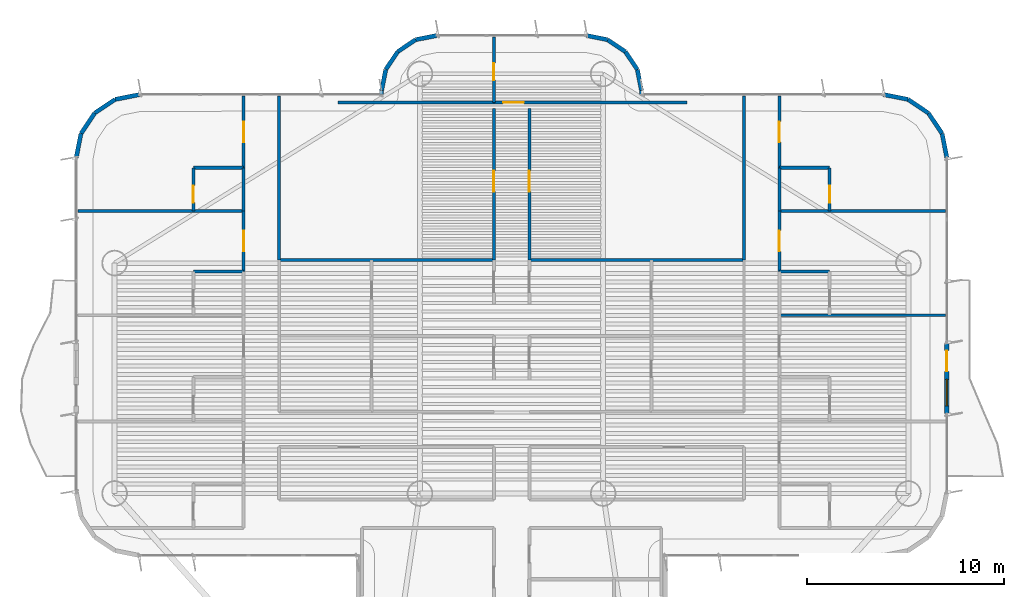
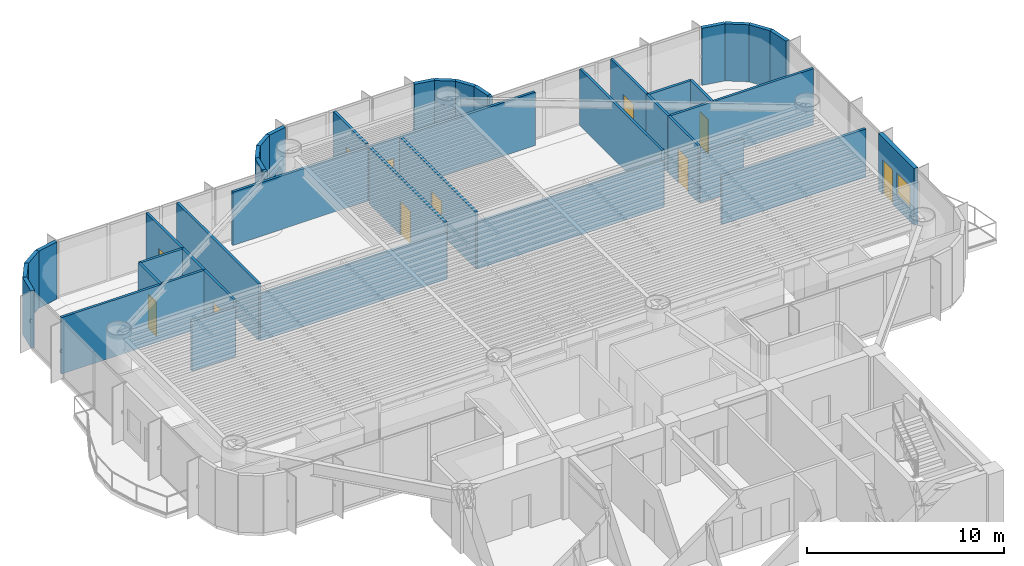
# One storey, part 12 of 17: 43 walls, 11 doors, 1 window, 12 openings.
"""IFC4 building model written with IfcOpenShell, lengths in metres."""

import ifcopenshell
import ifcopenshell.guid

model = None  # the IFC model being written
_history = None  # IfcOwnerHistory: only IFC2X3 demands one
_inside = {}  # id of a spatial element -> (the spatial element, [elements in it])
_under = {}  # id of a project, library or spatial element -> (it, [spatial elements below it])
_declared = {}  # id of a project -> (the project, [libraries it declares])
_typed = {}  # id of a type object -> (the type object, [elements of that type])
_made_of = {}  # id of a material, layer set ... -> (it, [elements and type objects made of it])


def new_model(schema):
    """Start an empty IFC model of exactly this schema.

    Asked for "IFC4X3", IfcOpenShell would pick the latest addendum, in which some entities
    have other attributes; the version numbers below select the first issue.
    IFC2X3 requires an IfcOwnerHistory on every rooted entity: one is made here for all.
    """
    global model, _history
    if schema == "IFC4X3":
        model = ifcopenshell.file(schema_version=(4, 3, 0, 0))
    else:
        model = ifcopenshell.file(schema=schema)
    _inside.clear()
    _under.clear()
    _declared.clear()
    _typed.clear()
    _made_of.clear()
    _history = None
    if model.schema == "IFC2X3":
        org = make("IfcOrganization", Name="unknown")
        user = make(
            "IfcPersonAndOrganization",
            ThePerson=make("IfcPerson", FamilyName="unknown"),
            TheOrganization=org,
        )
        app = make(
            "IfcApplication",
            ApplicationDeveloper=org,
            Version="unknown",
            ApplicationFullName="unknown",
            ApplicationIdentifier="unknown",
        )
        _history = make(
            "IfcOwnerHistory",
            OwningUser=user,
            OwningApplication=app,
            ChangeAction="ADDED",
            CreationDate=0,
        )
    return model


def make(cls, **values):
    """One entity of the class cls with the attributes given. An attribute that is None is left unset."""
    return model.create_entity(
        cls, **{name: value for name, value in values.items() if value is not None}
    )


def rooted(cls, **values):
    """An entity with a GlobalId (a new one), such as an element, a storey or a relation."""
    return make(cls, GlobalId=ifcopenshell.guid.new(), OwnerHistory=_history, **values)


def si_unit(unit_type, name, prefix=None):
    """IfcSIUnit, for example si_unit("LENGTHUNIT", "METRE", prefix="MILLI")."""
    return make("IfcSIUnit", UnitType=unit_type, Prefix=prefix, Name=name)


def assignment(units):
    """IfcUnitAssignment: the units of a project."""
    return None if units is None else make("IfcUnitAssignment", Units=units)


def point(xyz):
    """IfcCartesianPoint."""
    return None if xyz is None else make("IfcCartesianPoint", Coordinates=xyz)


def direction(xyz):
    """IfcDirection."""
    return None if xyz is None else make("IfcDirection", DirectionRatios=xyz)


def frame(location, z_axis=None, x_axis=None):
    """IfcAxis2Placement3D, a coordinate frame: its origin and axes. An axis left out is left unset."""
    return make(
        "IfcAxis2Placement3D",
        Location=point(location),
        Axis=direction(z_axis),
        RefDirection=direction(x_axis),
    )


def frame_2d(location, x_axis=None):
    """IfcAxis2Placement2D, a coordinate frame in the plane: its origin and x axis."""
    return make(
        "IfcAxis2Placement2D", Location=point(location), RefDirection=direction(x_axis)
    )


def origin():
    """The frame at (0, 0, 0) with its axes left unset."""
    return frame((0.0, 0.0, 0.0))


def origin_2d():
    """The frame at (0, 0) in the plane with its x axis left unset."""
    return frame_2d((0.0, 0.0))


def place(relative_to, where):
    """IfcLocalPlacement: puts the frame where relative to a parent placement (None: the world)."""
    return make(
        "IfcLocalPlacement", PlacementRelTo=relative_to, RelativePlacement=where
    )


def context(
    kind, dimensions, precision=None, world=None, true_north=None, identifier=None
):
    """IfcGeometricRepresentationContext, for example the 3D "Model" context."""
    return make(
        "IfcGeometricRepresentationContext",
        ContextIdentifier=identifier,
        ContextType=kind,
        CoordinateSpaceDimension=dimensions,
        Precision=precision,
        WorldCoordinateSystem=world,
        TrueNorth=true_north,
    )


def subcontext(parent, identifier, kind, view, scale=None):
    """IfcGeometricRepresentationSubContext, for example "Body" below "Model"."""
    return make(
        "IfcGeometricRepresentationSubContext",
        ContextIdentifier=identifier,
        ContextType=kind,
        ParentContext=parent,
        TargetScale=scale,
        TargetView=view,
    )


def project(units=None, contexts=None):
    """IfcProject with its units and contexts."""
    return rooted(
        "IfcProject",
        Name="project",
        RepresentationContexts=contexts,
        UnitsInContext=assignment(units),
    )


def spatial(cls, under=None, at=None, **own):
    """A site, building, storey or space (cls), placed at a placement, below another one or the project."""
    s = rooted(cls, ObjectPlacement=at, **own)
    if under is not None:
        _under.setdefault(under.id(), (under, []))[1].append(s)
    return s


def profile(cls, at=None, kind="AREA", **sizes):
    """A parametric profile (cls). Its sizes go by their IFC names, for example OverallWidth=200.0."""
    return make(cls, ProfileType=kind, Position=at, **sizes)


def rectangle(**sizes):
    """IfcRectangleProfileDef."""
    return profile("IfcRectangleProfileDef", **sizes)


def extrude(swept, where, along, depth):
    """IfcExtrudedAreaSolid: the profile swept, set in the frame where, extruded along a direction by depth."""
    return make(
        "IfcExtrudedAreaSolid",
        SweptArea=swept,
        Position=where,
        ExtrudedDirection=direction(along),
        Depth=depth,
    )


def shape(context_of_items, identifier, shape_type, items):
    """IfcShapeRepresentation: the items that make up one representation, for example the "Body"."""
    return make(
        "IfcShapeRepresentation",
        ContextOfItems=context_of_items,
        RepresentationIdentifier=identifier,
        RepresentationType=shape_type,
        Items=items,
    )


def source(mapping_origin, context_of_items, identifier, shape_type, items):
    """IfcRepresentationMap: a shape defined once, which mapped items show again and again."""
    return make(
        "IfcRepresentationMap",
        MappingOrigin=mapping_origin,
        MappedRepresentation=shape(context_of_items, identifier, shape_type, items),
    )


def transform(
    local_origin,
    x_axis=None,
    y_axis=None,
    z_axis=None,
    scale=None,
    scale2=None,
    scale3=None,
    uniform=True,
):
    """IfcCartesianTransformationOperator3D, or its non-uniform kind. x_axis, y_axis, z_axis: its Axis1, 2, 3."""
    if uniform:
        return make(
            "IfcCartesianTransformationOperator3D",
            Axis1=direction(x_axis),
            Axis2=direction(y_axis),
            LocalOrigin=point(local_origin),
            Scale=scale,
            Axis3=direction(z_axis),
        )
    return make(
        "IfcCartesianTransformationOperator3DnonUniform",
        Axis1=direction(x_axis),
        Axis2=direction(y_axis),
        LocalOrigin=point(local_origin),
        Scale=scale,
        Axis3=direction(z_axis),
        Scale2=scale2,
        Scale3=scale3,
    )


def mapped(mapping_source, mapping_target):
    """IfcMappedItem: shows the shape of a source again, moved by a transform."""
    return make(
        "IfcMappedItem", MappingSource=mapping_source, MappingTarget=mapping_target
    )


def material(Name=None, Category=None):
    """IfcMaterial."""
    return make("IfcMaterial", Name=Name, Category=Category)


def layer(
    of_material, thickness, ventilated=None, Name=None, Category=None, Priority=None
):
    """IfcMaterialLayer: one layer of a wall or slab, of a material (None: an air gap)."""
    return make(
        "IfcMaterialLayer",
        Material=of_material,
        LayerThickness=thickness,
        IsVentilated=ventilated,
        Name=Name,
        Category=Category,
        Priority=Priority,
    )


def layer_set(layers, Name=None):
    """IfcMaterialLayerSet."""
    return make("IfcMaterialLayerSet", MaterialLayers=layers, LayerSetName=Name)


def made_of(thing, what):
    """Note that an element or type object is made of a material, layer set ...; save() writes the relation."""
    if what is not None:
        _made_of.setdefault(what.id(), (what, []))[1].append(thing)
    return thing


def type_object(cls, material=None, **own):
    """A type object (cls), such as IfcWallType, which elements share."""
    return made_of(rooted(cls, **own), material)


def element(
    cls,
    number,
    at=None,
    inside=None,
    cuts=None,
    type_object=None,
    material=None,
    context=None,
    identifier="Body",
    shape_type=None,
    held_by="IfcProductDefinitionShape",
    body=None,
    shapes=None,
    **own,
):
    """One element of the class cls, such as IfcWall. Its Tag is "e" and its number.

    at: its placement. inside: the storey or other place that contains it. cuts: it is an
    opening in that element (IfcRelVoidsElement). A single representation is given by context,
    identifier, shape_type and body (its items); several are given by shapes. held_by: the class
    of the entity that holds the representations. save() writes the other relations.
    """
    e = rooted(cls, Tag="e%d" % number, ObjectPlacement=at, **own)
    if body is not None:
        shapes = [shape(context, identifier, shape_type, body)]
    if shapes is not None:
        e.Representation = make(held_by, Representations=shapes)
    if inside is not None:
        _inside.setdefault(inside.id(), (inside, []))[1].append(e)
    if cuts is not None:
        rooted(
            "IfcRelVoidsElement", RelatingBuildingElement=cuts, RelatedOpeningElement=e
        )
    if type_object is not None:
        _typed.setdefault(type_object.id(), (type_object, []))[1].append(e)
    return made_of(e, material)


def fill(opening, filler):
    """IfcRelFillsElement: the door or window that sits in an opening."""
    return rooted(
        "IfcRelFillsElement",
        RelatingOpeningElement=opening,
        RelatedBuildingElement=filler,
    )


def aggregate(whole, parts):
    """IfcRelAggregates: a whole, such as a stair, and the parts it consists of."""
    return rooted("IfcRelAggregates", RelatingObject=whole, RelatedObjects=parts)


def save(model, path):
    """Write the relations noted so far, then the file.

    IfcRelAggregates (storeys below a building ...), IfcRelContainedInSpatialStructure (elements
    in a storey), IfcRelDefinesByType, IfcRelAssociatesMaterial and IfcRelDeclares: one each for
    every whole, place, type object, material and project.
    """
    for whole, parts in _under.values():
        aggregate(whole, parts)
    for where, things in _inside.values():
        rooted(
            "IfcRelContainedInSpatialStructure",
            RelatedElements=things,
            RelatingStructure=where,
        )
    for kind, things in _typed.values():
        rooted("IfcRelDefinesByType", RelatedObjects=things, RelatingType=kind)
    for what, things in _made_of.values():
        rooted("IfcRelAssociatesMaterial", RelatedObjects=things, RelatingMaterial=what)
    for by, libraries in _declared.values():
        rooted("IfcRelDeclares", RelatingContext=by, RelatedDefinitions=libraries)
    model.write(path)


model = new_model("IFC4")

# Units and contexts
model_context = context("Model", 3, precision=1e-05, world=origin(), true_north=direction((0.0, 1.0)))
body_context = subcontext(model_context, "Body", "Model", "MODEL_VIEW")
ifc_project = project(units=[si_unit("LENGTHUNIT", "METRE"), si_unit("AREAUNIT", "SQUARE_METRE"), si_unit("VOLUMEUNIT", "CUBIC_METRE"), si_unit("PLANEANGLEUNIT", "RADIAN"), si_unit("MASSUNIT", "GRAM", prefix="KILO")], contexts=[model_context])

# Site, building, storey
site_placement = place(None, origin())
site = spatial("IfcSite", under=ifc_project, at=site_placement, CompositionType="ELEMENT")
building_placement = place(site_placement, origin())
building = spatial("IfcBuilding", under=site, at=building_placement, Name="Brelvock Crest Care Tower", CompositionType="ELEMENT")
storey_placement = place(building_placement, frame((0.0, 0.0, 127.6201171875)))
storey = spatial("IfcBuildingStorey", under=building, at=storey_placement, Name="L32", CompositionType="ELEMENT", Elevation=127.6201171875)

# Wall, openings, door, window
ifc_material_1 = material(Name="Precast concrete N40 (40 MPa)", Category="concrete")
ifc_layer_1 = layer(ifc_material_1, 0.239990234375, Name="WL-EX1")
ifc_layer_set_1 = layer_set([ifc_layer_1], Name="Precast concrete N40 (40 MPa)")
wall_type_1 = type_object("IfcWallType", Name="WL-EX1", PredefinedType="SOLIDWALL", material=ifc_layer_set_1)
wall_1_placement = place(storey_placement, frame((58.10009765625, 34.800048828125, 0.0), z_axis=(0.0, 0.0, 1.0), x_axis=(0.0, -1.0, 0.0)))
wall_1 = element("IfcWall", 1, at=wall_1_placement, inside=storey, type_object=wall_type_1, Name="L32 Exterior Spandrel Wall WL-BAL-L32-E", PredefinedType="SOLIDWALL", context=body_context, shape_type="SweptSolid", body=[
    extrude(rectangle(XDim=3.60009765625, YDim=0.239990234375, at=frame_2d((1.800048828125, 0.0))), origin(), (0.0, 0.0, 1.0), 3.52978515625),
])
opening_1_placement = place(wall_1_placement, frame((0.39990234375, 0.0, 0.0)))
opening_1 = element("IfcOpeningElement", 2, at=opening_1_placement, cuts=wall_1, Name="Opening BD-1", PredefinedType="OPENING", context=body_context, shape_type="SweptSolid", body=[
    extrude(rectangle(XDim=1.050048828125, YDim=2.14990234375, at=origin_2d()), frame((0.52490234375, 0.1298828125, 1.074951171875), z_axis=(0.0, -1.0, 0.0), x_axis=(1.0, 0.0, 0.0)), (0.0, 0.0, 1.0), 0.260009765625),
])
opening_2_placement = place(wall_1_placement, frame((1.85009765625, 0.0, 0.85009765625)))
opening_2 = element("IfcOpeningElement", 3, at=opening_2_placement, cuts=wall_1, Name="Opening W-01", PredefinedType="OPENING", context=body_context, shape_type="SweptSolid", body=[
    extrude(rectangle(XDim=1.35009765625, YDim=1.35009765625, at=origin_2d()), frame((0.675048828125, 0.1298828125, 0.675048828125), z_axis=(0.0, -1.0, 0.0), x_axis=(1.0, 0.0, 0.0)), (0.0, 0.0, 1.0), 0.260009765625),
])
ifc_material_2 = material(Name="Dark Glass Double Glazed Low-E", Category="glass")
door_type_1 = type_object("IfcDoorType", Name="DR-BAL1", OperationType="NOTDEFINED", PredefinedType="DOOR", material=ifc_material_2)
shared_shape_1 = source(origin(), body_context, "Body", "SweptSolid", [
    extrude(rectangle(XDim=1.050048828125, YDim=2.14990234375, at=origin_2d()), frame((0.52490234375, 0.02490234375, 1.074951171875), z_axis=(0.0, -1.0, 0.0), x_axis=(1.0, 0.0, 0.0)), (0.0, 0.0, 1.0), 0.050048828125),
])
door_1_placement = place(opening_1_placement, origin())
door_1 = element("IfcDoor", 4, at=door_1_placement, inside=storey, type_object=door_type_1, Name="L32 E Wave Balcony Glazed Door", OperationType="SINGLE_SWING_RIGHT", OverallHeight=2.14990234375, OverallWidth=1.050048828125, PredefinedType="DOOR", context=body_context, shape_type="MappedRepresentation", body=[
    mapped(shared_shape_1, transform((0.0, 0.0, 0.0), x_axis=(1.0, 0.0, 0.0), y_axis=(0.0, 1.0, 0.0), z_axis=(0.0, 0.0, 1.0), scale=1.0)),
])
fill(opening_1, door_1)
window_type = type_object("IfcWindowType", Name="WN-EX1", PartitioningType="SINGLE_PANEL", PredefinedType="WINDOW", material=ifc_material_2)
shared_shape_2 = source(origin(), body_context, "Body", "SweptSolid", [
    extrude(rectangle(XDim=1.35009765625, YDim=1.35009765625, at=origin_2d()), frame((0.675048828125, 0.030029296875, 0.675048828125), z_axis=(0.0, -1.0, 0.0), x_axis=(1.0, 0.0, 0.0)), (0.0, 0.0, 1.0), 0.06005859375),
])
window_placement = place(opening_2_placement, origin())
window = element("IfcWindow", 5, at=window_placement, inside=storey, type_object=window_type, Name="L32 E Suite Casement Window", OverallHeight=1.35009765625, OverallWidth=1.35009765625, PartitioningType="SINGLE_PANEL", PredefinedType="WINDOW", context=body_context, shape_type="MappedRepresentation", body=[
    mapped(shared_shape_2, transform((0.0, 0.0, 0.0), x_axis=(1.0, 0.0, 0.0), y_axis=(0.0, 1.0, 0.0), z_axis=(0.0, 0.0, 1.0), scale=1.0)),
])
fill(opening_2, window)

# Walls
ifc_layer_2 = layer(ifc_material_1, 0.215087890625, Name="WL-EX2")
ifc_layer_set_2 = layer_set([ifc_layer_2], Name="Precast concrete N40 (40 MPa)")
wall_type_2 = type_object("IfcWallType", Name="WL-EX2", PredefinedType="SOLIDWALL", material=ifc_layer_set_2)
for number, where, z_axis, x_axis, name in (
    (6, (13.89990234375, 44.199951171875, 0.0), (0.0, 0.0, 1.0), (0.195138390419, 0.980775717779, 0.0), "L32 Rounded Corner Wall 18"),
    (7, (14.1435546875, 45.424560546875, 0.0), (0.0, 0.0, 1.0), (0.555692485475, 0.831387912822, 0.0), "L32 Rounded Corner Wall 19"),
    (8, (14.83740234375, 46.462646484375, 0.0), (0.0, 0.0, 1.0), (0.831387912822, 0.555692485475, 0.0), "L32 Rounded Corner Wall 20"),
    (9, (15.87548828125, 47.156494140625, 0.0), (0.0, 0.0, 1.0), (0.980813122964, 0.194950295773, 0.0), "L32 Rounded Corner Wall 21"),
):
    element("IfcWall", number, at=place(storey_placement, frame(where, z_axis=z_axis, x_axis=x_axis)), inside=storey, type_object=wall_type_2, Name=name, PredefinedType="SOLIDWALL", context=body_context, shape_type="SweptSolid", body=[
        extrude(rectangle(XDim=1.24853515625, YDim=0.215087890625, at=frame_2d((0.624267578125, 0.0))), origin(), (0.0, 0.0, 1.0), 3.52978515625),
    ])
wall_2_placement = place(storey_placement, frame((29.39990234375, 47.39990234375, 0.0), z_axis=(0.0, 0.0, 1.0), x_axis=(0.0, 1.0, 0.0)))
element("IfcWall", 10, at=wall_2_placement, inside=storey, type_object=wall_type_2, Name="L32 Rounded Corner Wall 23", PredefinedType="SOLIDWALL", context=body_context, shape_type="SweptSolid", body=[
    extrude(rectangle(XDim=0.2001953125, YDim=0.215087890625, at=frame_2d((0.10009765625, 0.0))), origin(), (0.0, 0.0, 1.0), 3.52978515625),
])
wall_3_placement = place(storey_placement, frame((29.39990234375, 47.60009765625, 0.0), z_axis=(0.0, 0.0, 1.0), x_axis=(0.195127417394, 0.980777900945, 0.0)))
element("IfcWall", 11, at=wall_3_placement, inside=storey, type_object=wall_type_2, Name="L32 Rounded Corner Wall 24", PredefinedType="SOLIDWALL", context=body_context, shape_type="SweptSolid", body=[
    extrude(rectangle(XDim=1.09228515625, YDim=0.215087890625, at=frame_2d((0.546142578125, 0.0))), origin(), (0.0, 0.0, 1.0), 3.52978515625),
])
wall_4_placement = place(storey_placement, frame((29.613037109375, 48.67138671875, 0.0), z_axis=(0.0, 0.0, 1.0), x_axis=(0.555679482341, 0.831396603857, 0.0)))
element("IfcWall", 12, at=wall_4_placement, inside=storey, type_object=wall_type_2, Name="L32 Rounded Corner Wall 25", PredefinedType="SOLIDWALL", context=body_context, shape_type="SweptSolid", body=[
    extrude(rectangle(XDim=1.0927734375, YDim=0.215087890625, at=frame_2d((0.54638671875, 0.0))), origin(), (0.0, 0.0, 1.0), 3.52978515625),
])
for number, where, z_axis, x_axis, name in (
    (13, (30.22021484375, 49.579833984375, 0.0), (0.0, 0.0, 1.0), (0.831327592857, 0.555782721353, 0.0), "L32 Rounded Corner Wall 26"),
    (14, (31.12841796875, 50.18701171875, 0.0), (0.0, 0.0, 1.0), (0.980829143587, 0.194869677195, 0.0), "L32 Rounded Corner Wall 27"),
    (15, (39.800048828125, 50.39990234375, 0.0), (0.0, 0.0, 1.0), (0.980829143587, -0.194869677195, 0.0), "L32 Rounded Corner Wall 29"),
    (16, (40.87158203125, 50.18701171875, 0.0), (0.0, 0.0, 1.0), (0.831327592857, -0.555782721353, 0.0), "L32 Rounded Corner Wall 30"),
):
    element("IfcWall", number, at=place(storey_placement, frame(where, z_axis=z_axis, x_axis=x_axis)), inside=storey, type_object=wall_type_2, Name=name, PredefinedType="SOLIDWALL", context=body_context, shape_type="SweptSolid", body=[
        extrude(rectangle(XDim=1.092529296875, YDim=0.215087890625, at=frame_2d((0.54638671875, 0.0))), origin(), (0.0, 0.0, 1.0), 3.52978515625),
    ])
wall_5_placement = place(storey_placement, frame((41.77978515625, 49.579833984375, 0.0), z_axis=(0.0, 0.0, 1.0), x_axis=(0.555679482341, -0.831396603857, 0.0)))
element("IfcWall", 17, at=wall_5_placement, inside=storey, type_object=wall_type_2, Name="L32 Rounded Corner Wall 31", PredefinedType="SOLIDWALL", context=body_context, shape_type="SweptSolid", body=[
    extrude(rectangle(XDim=1.0927734375, YDim=0.215087890625, at=frame_2d((0.54638671875, 0.0))), origin(), (0.0, 0.0, 1.0), 3.52978515625),
])
wall_6_placement = place(storey_placement, frame((42.386962890625, 48.67138671875, 0.0), z_axis=(0.0, 0.0, 1.0), x_axis=(0.195127417394, -0.980777900945, 0.0)))
element("IfcWall", 18, at=wall_6_placement, inside=storey, type_object=wall_type_2, Name="L32 Rounded Corner Wall 32", PredefinedType="SOLIDWALL", context=body_context, shape_type="SweptSolid", body=[
    extrude(rectangle(XDim=1.09228515625, YDim=0.215087890625, at=frame_2d((0.546142578125, 0.0))), origin(), (0.0, 0.0, 1.0), 3.52978515625),
])
wall_7_placement = place(storey_placement, frame((42.60009765625, 47.60009765625, 0.0), z_axis=(0.0, 0.0, 1.0), x_axis=(0.0, -1.0, 0.0)))
element("IfcWall", 19, at=wall_7_placement, inside=storey, type_object=wall_type_2, Name="L32 Rounded Corner Wall 33", PredefinedType="SOLIDWALL", context=body_context, shape_type="SweptSolid", body=[
    extrude(rectangle(XDim=0.2001953125, YDim=0.215087890625, at=frame_2d((0.10009765625, 0.0))), origin(), (0.0, 0.0, 1.0), 3.52978515625),
])
for number, where, z_axis, x_axis, name in (
    (20, (54.89990234375, 47.39990234375, 0.0), (0.0, 0.0, 1.0), (0.980813122964, -0.194950295773, 0.0), "L32 Rounded Corner Wall 35"),
    (21, (56.12451171875, 47.156494140625, 0.0), (0.0, 0.0, 1.0), (0.831387912822, -0.555692485475, 0.0), "L32 Rounded Corner Wall 36"),
    (22, (57.16259765625, 46.462646484375, 0.0), (0.0, 0.0, 1.0), (0.555692485475, -0.831387912822, 0.0), "L32 Rounded Corner Wall 37"),
    (23, (57.8564453125, 45.424560546875, 0.0), (0.0, 0.0, 1.0), (0.195138390419, -0.980775717779, 0.0), "L32 Rounded Corner Wall 38"),
):
    element("IfcWall", number, at=place(storey_placement, frame(where, z_axis=z_axis, x_axis=x_axis)), inside=storey, type_object=wall_type_2, Name=name, PredefinedType="SOLIDWALL", context=body_context, shape_type="SweptSolid", body=[
        extrude(rectangle(XDim=1.24853515625, YDim=0.215087890625, at=frame_2d((0.624267578125, 0.0))), origin(), (0.0, 0.0, 1.0), 3.52978515625),
    ])
ifc_material_3 = material(Name="Masonry Blockwork Acoustic Partition", Category="masonry")
ifc_layer_3 = layer(ifc_material_3, 0.14990234375, Name="WL-INT1")
ifc_layer_set_3 = layer_set([ifc_layer_3], Name="Masonry Blockwork Acoustic Partition")
wall_type_3 = type_object("IfcWallType", Name="WL-INT1", PredefinedType="PARTITIONING", material=ifc_layer_set_3)
wall_8_placement = place(storey_placement, frame((49.60009765625, 36.199951171875, 0.0), z_axis=(0.0, 0.0, 1.0), x_axis=(1.0, 0.0, 0.0)))
element("IfcWall", 24, at=wall_8_placement, inside=storey, type_object=wall_type_3, Name="L32 Interior Wall WL-BX-L32-CS-SNE2-N", PredefinedType="PARTITIONING", context=body_context, shape_type="SweptSolid", body=[
    extrude(rectangle(XDim=8.419921875, YDim=0.14990234375, at=frame_2d((4.2099609375, 0.0))), origin(), (0.0, 0.0, 1.0), 2.98193359375),
])
for number, where, z_axis, x_axis, name in (
    (25, (24.199951171875, 39.0, 0.0), (0.0, 0.0, 1.0), (1.0, 0.0, 0.0), "L32 Interior Wall WL-BX-L32-INWD-S"),
    (26, (36.89990234375, 39.0, 0.0), (0.0, 0.0, 1.0), (1.0, 0.0, 0.0), "L32 Interior Wall WL-BX-L32-INED-S"),
):
    element("IfcWall", number, at=place(storey_placement, frame(where, z_axis=z_axis, x_axis=x_axis)), inside=storey, type_object=wall_type_3, Name=name, PredefinedType="PARTITIONING", context=body_context, shape_type="SweptSolid", body=[
        extrude(rectangle(XDim=10.900146484375, YDim=0.14990234375, at=frame_2d((5.4501953125, 0.0))), origin(), (0.0, 0.0, 1.0), 2.90283203125),
    ])
for number, where, z_axis, x_axis, name in (
    (27, (13.97998046875, 41.5, 0.0), (0.0, 0.0, 1.0), (1.0, 0.0, 0.0), "L32 Interior Wall WL-BX-L32-CS-SNW3-N"),
    (28, (49.60009765625, 41.5, 0.0), (0.0, 0.0, 1.0), (1.0, 0.0, 0.0), "L32 Interior Wall WL-BX-L32-CS-SNE3-N"),
):
    element("IfcWall", number, at=place(storey_placement, frame(where, z_axis=z_axis, x_axis=x_axis)), inside=storey, type_object=wall_type_3, Name=name, PredefinedType="PARTITIONING", context=body_context, shape_type="SweptSolid", body=[
        extrude(rectangle(XDim=8.419921875, YDim=0.14990234375, at=frame_2d((4.2099609375, 0.0))), origin(), (0.0, 0.0, 1.0), 3.5),
    ])
wall_9_placement = place(storey_placement, frame((27.19775390625, 47.0, 0.0), z_axis=(0.0, 0.0, 1.0), x_axis=(1.0, 0.0, 0.0)))
element("IfcWall", 29, at=wall_9_placement, inside=storey, type_object=wall_type_3, Name="L32 Interior Wall WL-BX-L32-SNKT-S", PredefinedType="PARTITIONING", context=body_context, shape_type="SweptSolid", body=[
    extrude(rectangle(XDim=7.90234375, YDim=0.14990234375, at=frame_2d((3.951171875, 0.0))), origin(), (0.0, 0.0, 1.0), 3.307861328125),
])

# Wall, opening, door
wall_10_placement = place(storey_placement, frame((35.10009765625, 47.0, 0.0), z_axis=(0.0, 0.0, 1.0), x_axis=(1.0, 0.0, 0.0)))
wall_10 = element("IfcWall", 30, at=wall_10_placement, inside=storey, type_object=wall_type_3, Name="L32 Interior Wall WL-RM-L32-NHUB", PredefinedType="PARTITIONING", context=body_context, shape_type="SweptSolid", body=[
    extrude(rectangle(XDim=9.7998046875, YDim=0.14990234375, at=frame_2d((4.89990234375, 0.0))), origin(), (0.0, 0.0, 1.0), 3.307861328125),
])
opening_3_placement = place(wall_10_placement, frame((0.47509765625, 0.0, 0.0)))
opening_3 = element("IfcOpeningElement", 31, at=opening_3_placement, cuts=wall_10, Name="Opening CLD-1", PredefinedType="OPENING", context=body_context, shape_type="SweptSolid", body=[
    extrude(rectangle(XDim=1.050048828125, YDim=2.10009765625, at=origin_2d()), frame((0.52490234375, 0.0849609375, 1.050048828125), z_axis=(0.0, -1.0, 0.0), x_axis=(1.0, 0.0, 0.0)), (0.0, 0.0, 1.0), 0.169921875),
])
ifc_material_4 = material(Name="Engineered Hardwood Timber", Category="wood")
door_type_2 = type_object("IfcDoorType", Name="DR-CLN1", OperationType="NOTDEFINED", PredefinedType="DOOR", material=ifc_material_4)
shared_shape_3 = source(origin(), body_context, "Body", "SweptSolid", [
    extrude(rectangle(XDim=1.050048828125, YDim=2.10009765625, at=origin_2d()), frame((0.52490234375, 0.02490234375, 1.050048828125), z_axis=(0.0, -1.0, 0.0), x_axis=(1.0, 0.0, 0.0)), (0.0, 0.0, 1.0), 0.050048828125),
])
door_2_placement = place(opening_3_placement, origin())
door_2 = element("IfcDoor", 32, at=door_2_placement, inside=storey, type_object=door_type_2, Name="L32 North Panorama Sunroom Door NHUB", OperationType="SINGLE_SWING_LEFT", OverallHeight=2.10009765625, OverallWidth=1.050048828125, PredefinedType="DOOR", context=body_context, shape_type="MappedRepresentation", body=[
    mapped(shared_shape_3, transform((0.0, 0.0, 0.0), x_axis=(1.0, 0.0, 0.0), y_axis=(0.0, 1.0, 0.0), z_axis=(0.0, 0.0, 1.0), scale=1.0)),
])
fill(opening_3, door_2)

wall_11_placement = place(storey_placement, frame((22.39990234375, 38.426025390625, 0.0), z_axis=(0.0, 0.0, 1.0), x_axis=(0.0, 1.0, 0.0)))
wall_11 = element("IfcWall", 33, at=wall_11_placement, inside=storey, type_object=wall_type_3, Name="L32 Interior Wall WL-CENT-L32-SNW3", PredefinedType="PARTITIONING", context=body_context, shape_type="SweptSolid", body=[
    extrude(rectangle(XDim=3.073974609375, YDim=0.14990234375, at=frame_2d((1.537109375, 0.0))), origin(), (0.0, 0.0, 1.0), 3.5),
])
opening_4_placement = place(wall_11_placement, frame((1.01708984375, 0.0, 0.0)))
opening_4 = element("IfcOpeningElement", 34, at=opening_4_placement, cuts=wall_11, Name="Opening CD-1", PredefinedType="OPENING", context=body_context, shape_type="SweptSolid", body=[
    extrude(rectangle(XDim=1.050048828125, YDim=2.10009765625, at=origin_2d()), frame((0.52490234375, 0.0849609375, 1.050048828125), z_axis=(0.0, -1.0, 0.0), x_axis=(1.0, 0.0, 0.0)), (0.0, 0.0, 1.0), 0.169921875),
])
door_type_3 = type_object("IfcDoorType", Name="DR-CARE1", OperationType="NOTDEFINED", PredefinedType="DOOR", material=ifc_material_4)
shared_shape_4 = source(origin(), body_context, "Body", "SweptSolid", [
    extrude(rectangle(XDim=1.050048828125, YDim=2.10009765625, at=origin_2d()), frame((0.52490234375, 0.02490234375, 1.050048828125), z_axis=(0.0, -1.0, 0.0), x_axis=(1.0, 0.0, 0.0)), (0.0, 0.0, 1.0), 0.050048828125),
])
door_3_placement = place(opening_4_placement, origin())
door_3 = element("IfcDoor", 35, at=door_3_placement, inside=storey, type_object=door_type_3, Name="L32 Care Suite Door SNW3", OperationType="SINGLE_SWING_LEFT", OverallHeight=2.10009765625, OverallWidth=1.050048828125, PredefinedType="DOOR", context=body_context, shape_type="MappedRepresentation", body=[
    mapped(shared_shape_4, transform((0.0, 0.0, 0.0), x_axis=(1.0, 0.0, 0.0), y_axis=(0.0, 1.0, 0.0), z_axis=(0.0, 0.0, 1.0), scale=1.0)),
])
fill(opening_4, door_3)

wall_12_placement = place(storey_placement, frame((22.39990234375, 43.68408203125, 0.0), z_axis=(0.0, 0.0, 1.0), x_axis=(0.0, 1.0, 0.0)))
wall_12 = element("IfcWall", 36, at=wall_12_placement, inside=storey, type_object=wall_type_3, Name="L32 Interior Wall WL-CENT-L32-SNW4", PredefinedType="PARTITIONING", context=body_context, shape_type="SweptSolid", body=[
    extrude(rectangle(XDim=3.63671875, YDim=0.14990234375, at=frame_2d((1.818359375, 0.0))), origin(), (0.0, 0.0, 1.0), 3.5),
])
opening_5_placement = place(wall_12_placement, frame((1.298095703125, 0.0, 0.0)))
opening_5 = element("IfcOpeningElement", 37, at=opening_5_placement, cuts=wall_12, Name="Opening CD-1", PredefinedType="OPENING", context=body_context, shape_type="SweptSolid", body=[
    extrude(rectangle(XDim=1.050048828125, YDim=2.10009765625, at=origin_2d()), frame((0.52490234375, 0.0849609375, 1.050048828125), z_axis=(0.0, -1.0, 0.0), x_axis=(1.0, 0.0, 0.0)), (0.0, 0.0, 1.0), 0.169921875),
])
door_4_placement = place(opening_5_placement, origin())
door_4 = element("IfcDoor", 38, at=door_4_placement, inside=storey, type_object=door_type_3, Name="L32 Care Suite Door SNW4", OperationType="SINGLE_SWING_LEFT", OverallHeight=2.10009765625, OverallWidth=1.050048828125, PredefinedType="DOOR", context=body_context, shape_type="MappedRepresentation", body=[
    mapped(shared_shape_4, transform((0.0, 0.0, 0.0), x_axis=(1.0, 0.0, 0.0), y_axis=(0.0, 1.0, 0.0), z_axis=(0.0, 0.0, 1.0), scale=1.0)),
])
fill(opening_5, door_4)

# Wall
wall_13_placement = place(storey_placement, frame((24.199951171875, 39.0, 0.0), z_axis=(0.0, 0.0, 1.0), x_axis=(0.0, 1.0, 0.0)))
element("IfcWall", 39, at=wall_13_placement, inside=storey, type_object=wall_type_3, Name="L32 Interior Wall WL-BX-L32-INWD-W", PredefinedType="PARTITIONING", context=body_context, shape_type="SweptSolid", body=[
    extrude(rectangle(XDim=8.32080078125, YDim=0.14990234375, at=frame_2d((4.160400390625, 0.0))), origin(), (0.0, 0.0, 1.0), 3.5),
])

# Wall, opening, door
wall_14_placement = place(storey_placement, frame((35.10009765625, 39.0, 0.0), z_axis=(0.0, 0.0, 1.0), x_axis=(0.0, 1.0, 0.0)))
wall_14 = element("IfcWall", 40, at=wall_14_placement, inside=storey, type_object=wall_type_3, Name="L32 Interior Wall WL-RM-L32-INWD", PredefinedType="PARTITIONING", context=body_context, shape_type="SweptSolid", body=[
    extrude(rectangle(XDim=7.699951171875, YDim=0.14990234375, at=frame_2d((3.85009765625, 0.0))), origin(), (0.0, 0.0, 1.0), 3.5),
])
opening_6_placement = place(wall_14_placement, frame((3.47509765625, 0.0, 0.0)))
opening_6 = element("IfcOpeningElement", 41, at=opening_6_placement, cuts=wall_14, Name="Opening CLD-1", PredefinedType="OPENING", context=body_context, shape_type="SweptSolid", body=[
    extrude(rectangle(XDim=1.050048828125, YDim=2.10009765625, at=origin_2d()), frame((0.52490234375, 0.0849609375, 1.050048828125), z_axis=(0.0, -1.0, 0.0), x_axis=(1.0, 0.0, 0.0)), (0.0, 0.0, 1.0), 0.169921875),
])
door_5_placement = place(opening_6_placement, origin())
door_5 = element("IfcDoor", 42, at=door_5_placement, inside=storey, type_object=door_type_2, Name="L32 Nursing Ward Medication Clinic Door INWD", OperationType="SINGLE_SWING_LEFT", OverallHeight=2.10009765625, OverallWidth=1.050048828125, PredefinedType="DOOR", context=body_context, shape_type="MappedRepresentation", body=[
    mapped(shared_shape_3, transform((0.0, 0.0, 0.0), x_axis=(1.0, 0.0, 0.0), y_axis=(0.0, 1.0, 0.0), z_axis=(0.0, 0.0, 1.0), scale=1.0)),
])
fill(opening_6, door_5)

wall_15_placement = place(storey_placement, frame((35.10009765625, 47.0, 0.0), z_axis=(0.0, 0.0, 1.0), x_axis=(0.0, 1.0, 0.0)))
wall_15 = element("IfcWall", 43, at=wall_15_placement, inside=storey, type_object=wall_type_3, Name="L32 Interior Wall WL-RM-L32-SNKT", PredefinedType="PARTITIONING", context=body_context, shape_type="SweptSolid", body=[
    extrude(rectangle(XDim=3.320068359375, YDim=0.14990234375, at=frame_2d((1.66015625, 0.0))), origin(), (0.0, 0.0, 1.0), 3.5),
])
opening_7_placement = place(wall_15_placement, frame((1.139892578125, 0.0, 0.0)))
opening_7 = element("IfcOpeningElement", 44, at=opening_7_placement, cuts=wall_15, Name="Opening ID-1", PredefinedType="OPENING", context=body_context, shape_type="SweptSolid", body=[
    extrude(rectangle(XDim=0.860107421875, YDim=2.10009765625, at=origin_2d()), frame((0.43017578125, 0.0849609375, 1.050048828125), z_axis=(0.0, -1.0, 0.0), x_axis=(1.0, 0.0, 0.0)), (0.0, 0.0, 1.0), 0.169921875),
])
door_type_4 = type_object("IfcDoorType", Name="DR-INT1", OperationType="NOTDEFINED", PredefinedType="DOOR", material=ifc_material_4)
shared_shape_5 = source(origin(), body_context, "Body", "SweptSolid", [
    extrude(rectangle(XDim=0.860107421875, YDim=2.10009765625, at=origin_2d()), frame((0.43017578125, 0.02490234375, 1.050048828125), z_axis=(0.0, -1.0, 0.0), x_axis=(1.0, 0.0, 0.0)), (0.0, 0.0, 1.0), 0.050048828125),
])
door_6_placement = place(opening_7_placement, origin())
door_6 = element("IfcDoor", 45, at=door_6_placement, inside=storey, type_object=door_type_4, Name="L32 Ward Finishing Kitchen Door SNKT", OperationType="SINGLE_SWING_LEFT", OverallHeight=2.10009765625, OverallWidth=0.860107421875, PredefinedType="DOOR", context=body_context, shape_type="MappedRepresentation", body=[
    mapped(shared_shape_5, transform((0.0, 0.0, 0.0), x_axis=(1.0, 0.0, 0.0), y_axis=(0.0, 1.0, 0.0), z_axis=(0.0, 0.0, 1.0), scale=1.0)),
])
fill(opening_7, door_6)

wall_16_placement = place(storey_placement, frame((36.89990234375, 39.0, 0.0), z_axis=(0.0, 0.0, 1.0), x_axis=(0.0, 1.0, 0.0)))
wall_16 = element("IfcWall", 46, at=wall_16_placement, inside=storey, type_object=wall_type_3, Name="L32 Interior Wall WL-RM-L32-INED", PredefinedType="PARTITIONING", context=body_context, shape_type="SweptSolid", body=[
    extrude(rectangle(XDim=7.699951171875, YDim=0.14990234375, at=frame_2d((3.85009765625, 0.0))), origin(), (0.0, 0.0, 1.0), 3.5),
])
opening_8_placement = place(wall_16_placement, frame((3.47509765625, 0.0, 0.0)))
opening_8 = element("IfcOpeningElement", 47, at=opening_8_placement, cuts=wall_16, Name="Opening CLD-1", PredefinedType="OPENING", context=body_context, shape_type="SweptSolid", body=[
    extrude(rectangle(XDim=1.050048828125, YDim=2.10009765625, at=origin_2d()), frame((0.52490234375, 0.0849609375, 1.050048828125), z_axis=(0.0, -1.0, 0.0), x_axis=(1.0, 0.0, 0.0)), (0.0, 0.0, 1.0), 0.169921875),
])
door_7_placement = place(opening_8_placement, origin())
door_7 = element("IfcDoor", 48, at=door_7_placement, inside=storey, type_object=door_type_2, Name="L32 Resident Family Dining Salon Door INED", OperationType="SINGLE_SWING_LEFT", OverallHeight=2.10009765625, OverallWidth=1.050048828125, PredefinedType="DOOR", context=body_context, shape_type="MappedRepresentation", body=[
    mapped(shared_shape_3, transform((0.0, 0.0, 0.0), x_axis=(1.0, 0.0, 0.0), y_axis=(0.0, 1.0, 0.0), z_axis=(0.0, 0.0, 1.0), scale=1.0)),
])
fill(opening_8, door_7)

# Wall
wall_17_placement = place(storey_placement, frame((47.800048828125, 39.0, 0.0), z_axis=(0.0, 0.0, 1.0), x_axis=(0.0, 1.0, 0.0)))
element("IfcWall", 49, at=wall_17_placement, inside=storey, type_object=wall_type_3, Name="L32 Interior Wall WL-BX-L32-INED-E", PredefinedType="PARTITIONING", context=body_context, shape_type="SweptSolid", body=[
    extrude(rectangle(XDim=8.32080078125, YDim=0.14990234375, at=frame_2d((4.160400390625, 0.0))), origin(), (0.0, 0.0, 1.0), 3.5),
])

# Wall, opening, door
wall_18_placement = place(storey_placement, frame((49.60009765625, 38.426025390625, 0.0), z_axis=(0.0, 0.0, 1.0), x_axis=(0.0, 1.0, 0.0)))
wall_18 = element("IfcWall", 50, at=wall_18_placement, inside=storey, type_object=wall_type_3, Name="L32 Interior Wall WL-CENT-L32-SNE3", PredefinedType="PARTITIONING", context=body_context, shape_type="SweptSolid", body=[
    extrude(rectangle(XDim=3.073974609375, YDim=0.14990234375, at=frame_2d((1.537109375, 0.0))), origin(), (0.0, 0.0, 1.0), 3.5),
])
opening_9_placement = place(wall_18_placement, frame((1.01708984375, 0.0, 0.0)))
opening_9 = element("IfcOpeningElement", 51, at=opening_9_placement, cuts=wall_18, Name="Opening CD-1", PredefinedType="OPENING", context=body_context, shape_type="SweptSolid", body=[
    extrude(rectangle(XDim=1.050048828125, YDim=2.10009765625, at=origin_2d()), frame((0.52490234375, 0.0849609375, 1.050048828125), z_axis=(0.0, -1.0, 0.0), x_axis=(1.0, 0.0, 0.0)), (0.0, 0.0, 1.0), 0.169921875),
])
door_8_placement = place(opening_9_placement, origin())
door_8 = element("IfcDoor", 52, at=door_8_placement, inside=storey, type_object=door_type_3, Name="L32 Care Suite Door SNE3", OperationType="SINGLE_SWING_LEFT", OverallHeight=2.10009765625, OverallWidth=1.050048828125, PredefinedType="DOOR", context=body_context, shape_type="MappedRepresentation", body=[
    mapped(shared_shape_4, transform((0.0, 0.0, 0.0), x_axis=(1.0, 0.0, 0.0), y_axis=(0.0, 1.0, 0.0), z_axis=(0.0, 0.0, 1.0), scale=1.0)),
])
fill(opening_9, door_8)

wall_19_placement = place(storey_placement, frame((49.60009765625, 43.68408203125, 0.0), z_axis=(0.0, 0.0, 1.0), x_axis=(0.0, 1.0, 0.0)))
wall_19 = element("IfcWall", 53, at=wall_19_placement, inside=storey, type_object=wall_type_3, Name="L32 Interior Wall WL-CENT-L32-SNE4", PredefinedType="PARTITIONING", context=body_context, shape_type="SweptSolid", body=[
    extrude(rectangle(XDim=3.63671875, YDim=0.14990234375, at=frame_2d((1.818359375, 0.0))), origin(), (0.0, 0.0, 1.0), 3.5),
])
opening_10_placement = place(wall_19_placement, frame((1.298095703125, 0.0, 0.0)))
opening_10 = element("IfcOpeningElement", 54, at=opening_10_placement, cuts=wall_19, Name="Opening CD-1", PredefinedType="OPENING", context=body_context, shape_type="SweptSolid", body=[
    extrude(rectangle(XDim=1.050048828125, YDim=2.10009765625, at=origin_2d()), frame((0.52490234375, 0.0849609375, 1.050048828125), z_axis=(0.0, -1.0, 0.0), x_axis=(1.0, 0.0, 0.0)), (0.0, 0.0, 1.0), 0.169921875),
])
door_9_placement = place(opening_10_placement, origin())
door_9 = element("IfcDoor", 55, at=door_9_placement, inside=storey, type_object=door_type_3, Name="L32 Care Suite Door SNE4", OperationType="SINGLE_SWING_LEFT", OverallHeight=2.10009765625, OverallWidth=1.050048828125, PredefinedType="DOOR", context=body_context, shape_type="MappedRepresentation", body=[
    mapped(shared_shape_4, transform((0.0, 0.0, 0.0), x_axis=(1.0, 0.0, 0.0), y_axis=(0.0, 1.0, 0.0), z_axis=(0.0, 0.0, 1.0), scale=1.0)),
])
fill(opening_10, door_9)

# Walls
ifc_material_5 = material(Name="Gypsum Plasterboard Partition", Category="gypsum")
ifc_layer_4 = layer(ifc_material_5, 0.159912109375, Name="WL-PLM1")
ifc_layer_set_4 = layer_set([ifc_layer_4], Name="Gypsum Plasterboard Partition")
wall_type_4 = type_object("IfcWallType", Name="WL-PLM1", PredefinedType="PLUMBINGWALL", material=ifc_layer_set_4)
for number, where, z_axis, x_axis, name in (
    (56, (19.85009765625, 38.426025390625, 0.0), (0.0, 0.0, 1.0), (1.0, 0.0, 0.0), "L32 Interior Wall WL-CENS2-L32-SNW3"),
    (57, (49.60009765625, 38.426025390625, 0.0), (0.0, 0.0, 1.0), (1.0, 0.0, 0.0), "L32 Interior Wall WL-CENS2-L32-SNE3"),
):
    element("IfcWall", number, at=place(storey_placement, frame(where, z_axis=z_axis, x_axis=x_axis)), inside=storey, type_object=wall_type_4, Name=name, PredefinedType="PLUMBINGWALL", context=body_context, shape_type="SweptSolid", body=[
        extrude(rectangle(XDim=2.5498046875, YDim=0.159912109375, at=frame_2d((1.27490234375, 0.0))), origin(), (0.0, 0.0, 1.0), 3.054931640625),
    ])
for number, where, z_axis, x_axis, name in (
    (58, (19.85009765625, 43.68408203125, 0.0), (0.0, 0.0, 1.0), (1.0, 0.0, 0.0), "L32 Interior Wall WL-CENS2-L32-SNW4"),
    (59, (49.60009765625, 43.68408203125, 0.0), (0.0, 0.0, 1.0), (1.0, 0.0, 0.0), "L32 Interior Wall WL-CENS2-L32-SNE4"),
):
    element("IfcWall", number, at=place(storey_placement, frame(where, z_axis=z_axis, x_axis=x_axis)), inside=storey, type_object=wall_type_4, Name=name, PredefinedType="PLUMBINGWALL", context=body_context, shape_type="SweptSolid", body=[
        extrude(rectangle(XDim=2.5498046875, YDim=0.159912109375, at=frame_2d((1.27490234375, 0.0))), origin(), (0.0, 0.0, 1.0), 3.5),
    ])

# Wall, opening, door
wall_20_placement = place(storey_placement, frame((19.85009765625, 41.5, 0.0), z_axis=(0.0, 0.0, 1.0), x_axis=(0.0, 1.0, 0.0)))
wall_20 = element("IfcWall", 60, at=wall_20_placement, inside=storey, type_object=wall_type_4, Name="L32 Interior Wall WL-CENS1-L32-SNW4", PredefinedType="PLUMBINGWALL", context=body_context, shape_type="SweptSolid", body=[
    extrude(rectangle(XDim=2.18408203125, YDim=0.159912109375, at=frame_2d((1.092041015625, 0.0))), origin(), (0.0, 0.0, 1.0), 3.5),
])
opening_11_placement = place(wall_20_placement, frame((0.419921875, 0.0, 0.0)))
opening_11 = element("IfcOpeningElement", 61, at=opening_11_placement, cuts=wall_20, Name="Opening WD-1", PredefinedType="OPENING", context=body_context, shape_type="SweptSolid", body=[
    extrude(rectangle(XDim=0.860107421875, YDim=2.10009765625, at=origin_2d()), frame((0.43017578125, 0.08984375, 1.050048828125), z_axis=(0.0, -1.0, 0.0), x_axis=(1.0, 0.0, 0.0)), (0.0, 0.0, 1.0), 0.179931640625),
])
door_type_5 = type_object("IfcDoorType", Name="DR-WC1", OperationType="NOTDEFINED", PredefinedType="DOOR", material=ifc_material_4)
shared_shape_6 = source(origin(), body_context, "Body", "SweptSolid", [
    extrude(rectangle(XDim=0.860107421875, YDim=2.10009765625, at=origin_2d()), frame((0.43017578125, 0.02490234375, 1.050048828125), z_axis=(0.0, -1.0, 0.0), x_axis=(1.0, 0.0, 0.0)), (0.0, 0.0, 1.0), 0.050048828125),
])
door_10_placement = place(opening_11_placement, origin())
door_10 = element("IfcDoor", 62, at=door_10_placement, inside=storey, type_object=door_type_5, Name="L32 Care En-Suite Door SNW4", OperationType="SINGLE_SWING_LEFT", OverallHeight=2.10009765625, OverallWidth=0.860107421875, PredefinedType="DOOR", context=body_context, shape_type="MappedRepresentation", body=[
    mapped(shared_shape_6, transform((0.0, 0.0, 0.0), x_axis=(1.0, 0.0, 0.0), y_axis=(0.0, 1.0, 0.0), z_axis=(0.0, 0.0, 1.0), scale=1.0)),
])
fill(opening_11, door_10)

# Walls
for number, where, z_axis, x_axis, name in (
    (63, (22.39990234375, 41.5, 0.0), (0.0, 0.0, 1.0), (0.0, 1.0, 0.0), "L32 Interior Wall WL-CENS0-L32-SNW4"),
    (64, (49.60009765625, 41.5, 0.0), (0.0, 0.0, 1.0), (0.0, 1.0, 0.0), "L32 Interior Wall WL-CENS0-L32-SNE4"),
):
    element("IfcWall", number, at=place(storey_placement, frame(where, z_axis=z_axis, x_axis=x_axis)), inside=storey, type_object=wall_type_4, Name=name, PredefinedType="PLUMBINGWALL", context=body_context, shape_type="SweptSolid", body=[
        extrude(rectangle(XDim=2.18408203125, YDim=0.159912109375, at=frame_2d((1.092041015625, 0.0))), origin(), (0.0, 0.0, 1.0), 3.5),
    ])

# Wall, opening, door
wall_21_placement = place(storey_placement, frame((52.14990234375, 41.5, 0.0), z_axis=(0.0, 0.0, 1.0), x_axis=(0.0, 1.0, 0.0)))
wall_21 = element("IfcWall", 65, at=wall_21_placement, inside=storey, type_object=wall_type_4, Name="L32 Interior Wall WL-CENS1-L32-SNE4", PredefinedType="PLUMBINGWALL", context=body_context, shape_type="SweptSolid", body=[
    extrude(rectangle(XDim=2.18408203125, YDim=0.159912109375, at=frame_2d((1.092041015625, 0.0))), origin(), (0.0, 0.0, 1.0), 3.5),
])
opening_12_placement = place(wall_21_placement, frame((0.419921875, 0.0, 0.0)))
opening_12 = element("IfcOpeningElement", 66, at=opening_12_placement, cuts=wall_21, Name="Opening WD-1", PredefinedType="OPENING", context=body_context, shape_type="SweptSolid", body=[
    extrude(rectangle(XDim=0.860107421875, YDim=2.10009765625, at=origin_2d()), frame((0.43017578125, 0.08984375, 1.050048828125), z_axis=(0.0, -1.0, 0.0), x_axis=(1.0, 0.0, 0.0)), (0.0, 0.0, 1.0), 0.179931640625),
])
door_11_placement = place(opening_12_placement, origin())
door_11 = element("IfcDoor", 67, at=door_11_placement, inside=storey, type_object=door_type_5, Name="L32 Care En-Suite Door SNE4", OperationType="SINGLE_SWING_RIGHT", OverallHeight=2.10009765625, OverallWidth=0.860107421875, PredefinedType="DOOR", context=body_context, shape_type="MappedRepresentation", body=[
    mapped(shared_shape_6, transform((0.0, 0.0, 0.0), x_axis=(1.0, 0.0, 0.0), y_axis=(0.0, 1.0, 0.0), z_axis=(0.0, 0.0, 1.0), scale=1.0)),
])
fill(opening_12, door_11)

save(model, "model.ifc")
